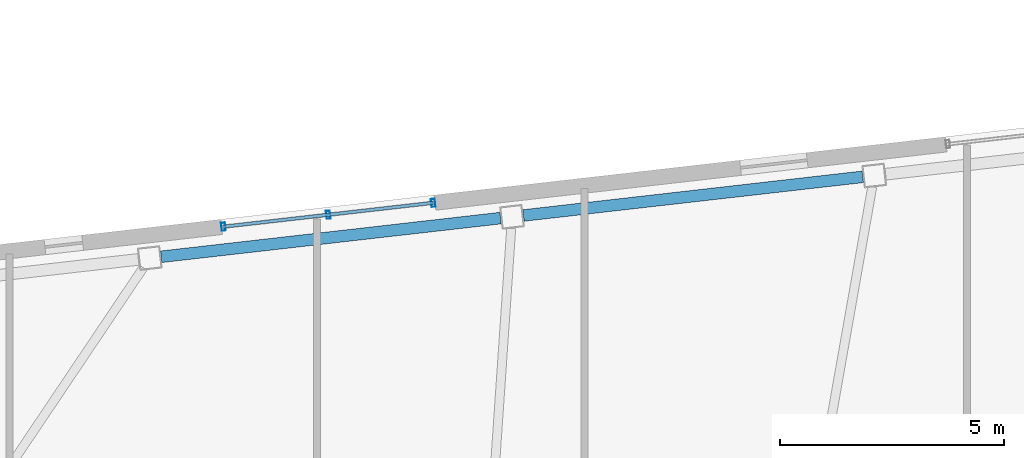
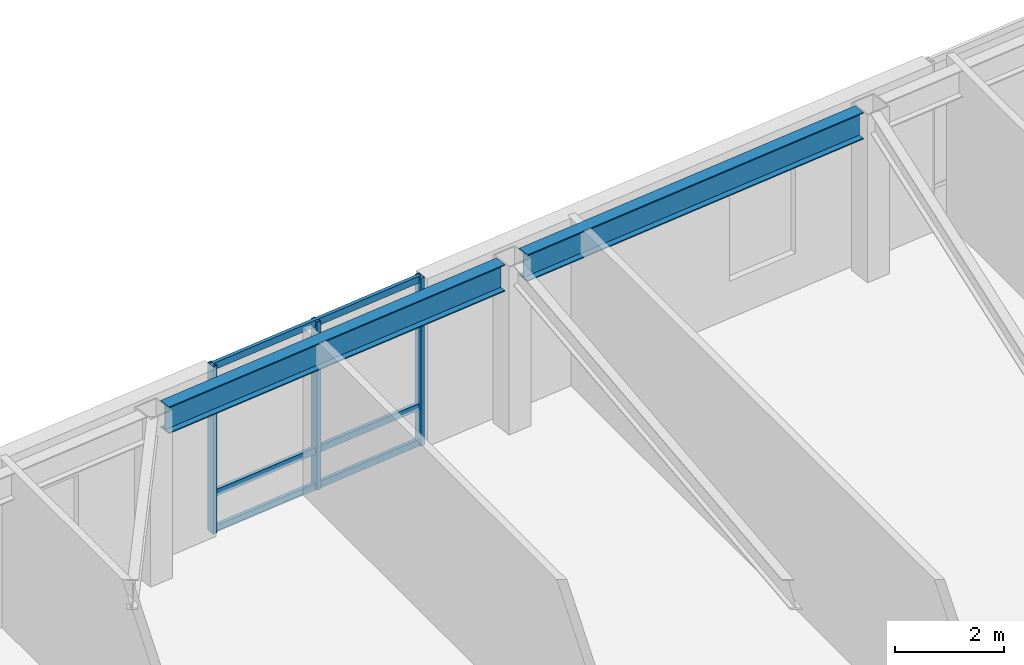
# One storey, part 8 of 19: 6 members, 2 beams, 1 element without a shape of its own.
"""IFC4 building model written with IfcOpenShell, lengths in metres."""

from ifc_helpers import new_model, si_unit, direction, frame, origin, origin_2d, place, context, subcontext, project, spatial, hollow_rectangle, i_section, extrude, material, layer, layer_set, material_profile, profile_set, type_object, element, aggregate, save


model = new_model("IFC4")

# Units and contexts
model_context = context("Model", 3, precision=1e-05, world=origin(), true_north=direction((0.0, 1.0)))
body_context = subcontext(model_context, "Body", "Model", "MODEL_VIEW")
ifc_project = project(units=[si_unit("LENGTHUNIT", "METRE"), si_unit("AREAUNIT", "SQUARE_METRE"), si_unit("VOLUMEUNIT", "CUBIC_METRE"), si_unit("PLANEANGLEUNIT", "RADIAN"), si_unit("MASSUNIT", "GRAM", prefix="KILO")], contexts=[model_context])

# Site, building, storey
site_placement = place(None, origin())
site = spatial("IfcSite", under=ifc_project, at=site_placement, CompositionType="ELEMENT")
building_placement = place(site_placement, origin())
building = spatial("IfcBuilding", under=site, at=building_placement, Name="Tavrogorsk Clinical Tower", CompositionType="ELEMENT")
storey_placement = place(building_placement, frame((0.0, 0.0, 259.0)))
storey = spatial("IfcBuildingStorey", under=building, at=storey_placement, Name="L60", CompositionType="ELEMENT", Elevation=259.0)

# Curtain wall, members
ifc_material_1 = material(Name="Anodised aluminium and triple IGU glazing", Category="aluminium")
ifc_layer = layer(ifc_material_1, 0.179931640625)
ifc_layer_set = layer_set([ifc_layer], Name="Anodised aluminium and triple IGU glazing")
curtain_wall_type = type_object("IfcCurtainWallType", Name="CW2_NorthSlot", PredefinedType="NOTDEFINED", material=ifc_layer_set)
curtain_wall_placement = place(storey_placement, origin())
curtain_wall = element("IfcCurtainWall", 1, at=curtain_wall_placement, inside=storey, type_object=curtain_wall_type, Name="L60 Curtain Wall CW-L60-N-SLOT-1", PredefinedType="NOTDEFINED")
ifc_material_2 = material(Name="Anodised aluminium alloy AW-6060", Category="aluminium")
ifc_material_profile_1 = material_profile(ifc_material_2, hollow_rectangle(XDim=0.090087890625, YDim=0.179931640625, WallThickness=0.00634765625, at=origin_2d()), Name="RHS-180x90x6.3")
ifc_profile_set_1 = profile_set([ifc_material_profile_1], Name="Anodised aluminium alloy AW-6060")
member_type_1 = type_object("IfcMemberType", Name="CwMullion_180x90", PredefinedType="MULLION", material=ifc_profile_set_1)
member_1_placement = place(storey_placement, frame((-10.781982421875, 25.42529296875, 0.0), z_axis=(0.0, 0.0, 1.0), x_axis=(-0.993571855603, -0.11320321441, 0.0)))
member_1 = element("IfcMember", 2, at=member_1_placement, type_object=member_type_1, Name="CW-L60-N-SLOT-1 Mullion 1", PredefinedType="MULLION", context=body_context, shape_type="SweptSolid", body=[
    extrude(hollow_rectangle(XDim=0.090087890625, YDim=0.179931640625, WallThickness=0.00634765625, at=origin_2d()), origin(), (0.0, 0.0, 1.0), 3.739990234375),
])
member_2_placement = place(storey_placement, frame((-13.1259765625, 25.158203125, 0.0), z_axis=(0.0, 0.0, 1.0), x_axis=(-0.993571855603, -0.11320321441, 0.0)))
member_2 = element("IfcMember", 3, at=member_2_placement, type_object=member_type_1, Name="CW-L60-N-SLOT-1 Mullion 2", PredefinedType="MULLION", context=body_context, shape_type="SweptSolid", body=[
    extrude(hollow_rectangle(XDim=0.090087890625, YDim=0.179931640625, WallThickness=0.00634765625, at=origin_2d()), origin(), (0.0, 0.0, 1.0), 3.739990234375),
])
member_3_placement = place(storey_placement, frame((-15.4697265625, 24.89111328125, 0.0), z_axis=(0.0, 0.0, 1.0), x_axis=(-0.993571855603, -0.11320321441, 0.0)))
member_3 = element("IfcMember", 4, at=member_3_placement, type_object=member_type_1, Name="CW-L60-N-SLOT-1 Mullion 3", PredefinedType="MULLION", context=body_context, shape_type="SweptSolid", body=[
    extrude(hollow_rectangle(XDim=0.090087890625, YDim=0.179931640625, WallThickness=0.00634765625, at=origin_2d()), origin(), (0.0, 0.0, 1.0), 3.739990234375),
])
ifc_material_3 = material(Name="Anodised aluminium alloy AW-6060", Category="aluminium")
ifc_material_profile_2 = material_profile(ifc_material_3, hollow_rectangle(XDim=0.074951171875, YDim=0.14990234375, WallThickness=0.0048828125, at=origin_2d()), Name="RHS-150x75x5")
ifc_profile_set_2 = profile_set([ifc_material_profile_2], Name="Anodised aluminium alloy AW-6060")
member_type_2 = type_object("IfcMemberType", Name="CwTransom_150x75", PredefinedType="USERDEFINED", material=ifc_profile_set_2)
member_4_placement = place(storey_placement, frame((-10.781982421875, 25.42529296875, 0.050048828125), z_axis=(-0.993569979218, -0.113219682023, 0.0), x_axis=(0.113219682023, -0.993569979218, 0.0)))
member_4 = element("IfcMember", 5, at=member_4_placement, type_object=member_type_2, Name="CW-L60-N-SLOT-1 Transom 1", ObjectType="TRANSOM", PredefinedType="USERDEFINED", context=body_context, shape_type="SweptSolid", body=[
    extrude(hollow_rectangle(XDim=0.074951171875, YDim=0.14990234375, WallThickness=0.0048828125, at=origin_2d()), origin(), (0.0, 0.0, 1.0), 4.718017578125),
])
member_5_placement = place(storey_placement, frame((-10.781982421875, 25.42529296875, 0.85009765625), z_axis=(-0.993569979218, -0.113219682023, 0.0), x_axis=(0.113219682023, -0.993569979218, 0.0)))
member_5 = element("IfcMember", 6, at=member_5_placement, type_object=member_type_2, Name="CW-L60-N-SLOT-1 Transom 2", ObjectType="TRANSOM", PredefinedType="USERDEFINED", context=body_context, shape_type="SweptSolid", body=[
    extrude(hollow_rectangle(XDim=0.074951171875, YDim=0.14990234375, WallThickness=0.0048828125, at=origin_2d()), origin(), (0.0, 0.0, 1.0), 4.718017578125),
])
member_6_placement = place(storey_placement, frame((-10.781982421875, 25.42529296875, 3.68994140625), z_axis=(-0.993569979218, -0.113219682023, 0.0), x_axis=(0.113219682023, -0.993569979218, 0.0)))
member_6 = element("IfcMember", 7, at=member_6_placement, type_object=member_type_2, Name="CW-L60-N-SLOT-1 Transom 3", ObjectType="TRANSOM", PredefinedType="USERDEFINED", context=body_context, shape_type="SweptSolid", body=[
    extrude(hollow_rectangle(XDim=0.074951171875, YDim=0.14990234375, WallThickness=0.0048828125, at=origin_2d()), origin(), (0.0, 0.0, 1.0), 4.718017578125),
])
aggregate(curtain_wall, [member_1, member_2, member_3, member_4, member_5, member_6])

# Beams
ifc_material_4 = material(Name="Structural steel S390", Category="steel")
ifc_material_profile_3 = material_profile(ifc_material_4, i_section(OverallWidth=0.260009765625, OverallDepth=0.60009765625, WebThickness=0.014892578125, FlangeThickness=0.02392578125, at=origin_2d()), Name="B-600x260x15x24")
ifc_profile_set_3 = profile_set([ifc_material_profile_3], Name="Structural steel S390")
beam_type = type_object("IfcBeamType", Name="SpandrelBeam_B600", PredefinedType="SPANDREL", material=ifc_profile_set_3)
for number, where, z_axis, x_axis, name in (
    (8, (-1.18017578125, 26.006103515625, 3.43994140625), (-0.993568501687, -0.113232647478, 0.0), (0.113232647478, -0.993568501687, 0.0), "L60 Perimeter Spandrel N4-N5"),
    (9, (-9.2763671875, 25.08349609375, 3.43994140625), (-0.993572099834, -0.113201070804, 0.0), (0.113201070804, -0.993572099834, 0.0), "L60 Perimeter Spandrel N5-N6"),
):
    element("IfcBeam", number, at=place(storey_placement, frame(where, z_axis=z_axis, x_axis=x_axis)), inside=storey, type_object=beam_type, Name=name, PredefinedType="SPANDREL", context=body_context, shape_type="SweptSolid", body=[
        extrude(i_section(OverallWidth=0.260009765625, OverallDepth=0.60009765625, WebThickness=0.014892578125, FlangeThickness=0.02392578125, at=origin_2d()), origin(), (0.0, 0.0, 1.0), 7.632568359375),
    ])

save(model, "model.ifc")
